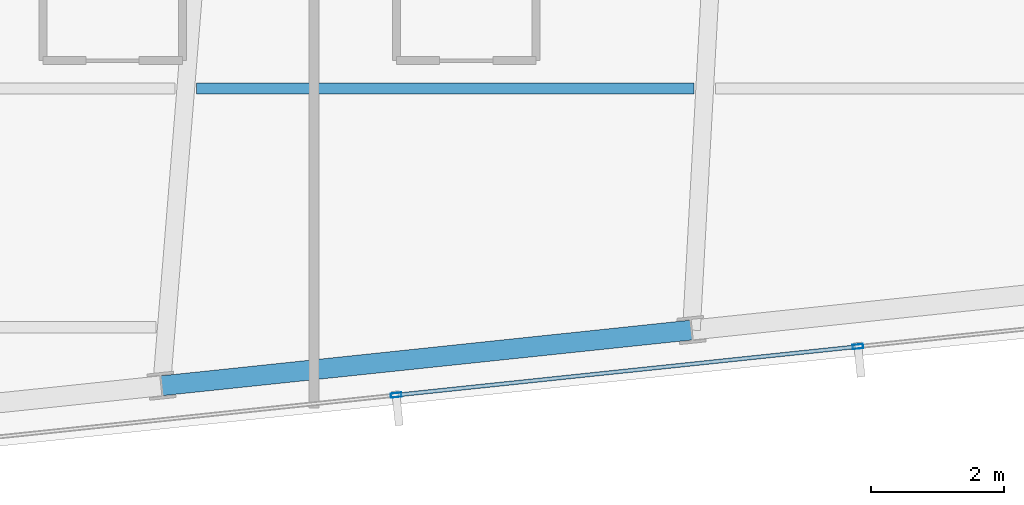
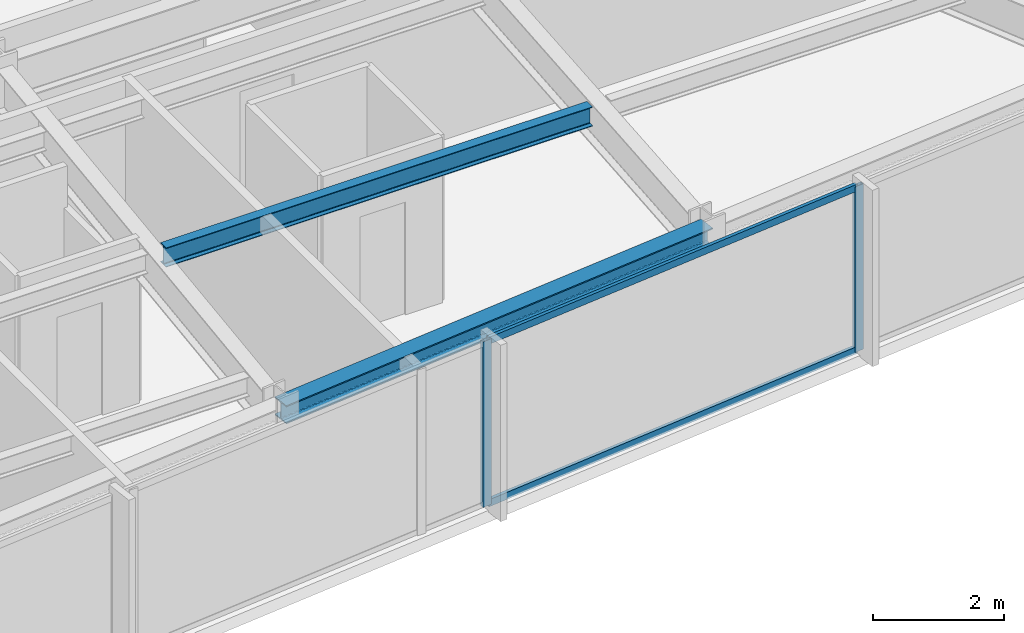
# One storey, part 14 of 33: 4 members, 2 beams, 1 element without a shape of its own.
"""IFC4 building model written with IfcOpenShell, lengths in metres."""

from ifc_helpers import new_model, si_unit, direction, frame, origin, origin_2d, place, context, subcontext, project, spatial, hollow_rectangle, i_section, extrude, material, material_profile, profile_set, type_object, element, aggregate, save


model = new_model("IFC4")

# Units and contexts
model_context = context("Model", 3, precision=1e-05, world=origin(), true_north=direction((0.0, 1.0)))
body_context = subcontext(model_context, "Body", "Model", "MODEL_VIEW")
ifc_project = project(units=[si_unit("LENGTHUNIT", "METRE"), si_unit("AREAUNIT", "SQUARE_METRE"), si_unit("VOLUMEUNIT", "CUBIC_METRE"), si_unit("PLANEANGLEUNIT", "RADIAN"), si_unit("MASSUNIT", "GRAM", prefix="KILO")], contexts=[model_context])

# Site, building, storey
site_placement = place(None, origin())
site = spatial("IfcSite", under=ifc_project, at=site_placement, CompositionType="ELEMENT")
building_placement = place(site_placement, origin())
building = spatial("IfcBuilding", under=site, at=building_placement, Name="Yelkora Congress Tower", CompositionType="ELEMENT")
storey_placement = place(building_placement, frame((0.0, 0.0, 221.0)))
storey = spatial("IfcBuildingStorey", under=building, at=storey_placement, Name="L61", CompositionType="ELEMENT", Elevation=221.0)

# Beams
ifc_material_1 = material(Name="Steel S355J2", Category="steel")
ifc_material_profile_1 = material_profile(ifc_material_1, i_section(OverallWidth=0.169921875, OverallDepth=0.360107421875, WebThickness=0.008056640625, FlangeThickness=0.0126953125, FilletRadius=0.01806640625, at=origin_2d()), Name="IPE 360")
ifc_profile_set_1 = profile_set([ifc_material_profile_1], Name="Steel S355J2")
beam_type_1 = type_object("IfcBeamType", Name="BM-JOIST-IPE360", PredefinedType="JOIST", material=ifc_profile_set_1)
beam_1_placement = place(storey_placement, frame((45.791259765625, 19.678466796875, 2.89990234375), z_axis=(1.0, 0.0, 0.0), x_axis=(0.0, 1.0, 0.0)))
element("IfcBeam", 1, at=beam_1_placement, inside=storey, type_object=beam_type_1, Name="L61 Composite Floor Joist 6", PredefinedType="JOIST", context=body_context, shape_type="SweptSolid", body=[
    extrude(i_section(OverallWidth=0.169921875, OverallDepth=0.360107421875, WebThickness=0.008056640625, FlangeThickness=0.0126953125, FilletRadius=0.01806640625, at=origin_2d()), origin(), (0.0, 0.0, 1.0), 7.505126953125),
])
ifc_material_profile_2 = material_profile(ifc_material_1, i_section(OverallWidth=0.300048828125, OverallDepth=0.340087890625, WebThickness=0.011962890625, FlangeThickness=0.021484375, FilletRadius=0.027099609375, at=origin_2d()), Name="HEB 340")
ifc_profile_set_2 = profile_set([ifc_material_profile_2], Name="Steel S355J2")
beam_type_2 = type_object("IfcBeamType", Name="BM-SPAN-HEB340", PredefinedType="SPANDREL", material=ifc_profile_set_2)
beam_2_placement = place(storey_placement, frame((45.26708984375, 15.197509765625, 2.909912109375), z_axis=(0.994520097542, 0.104545567032, 0.0), x_axis=(-0.104545567032, 0.994520097542, 0.0)))
element("IfcBeam", 2, at=beam_2_placement, inside=storey, type_object=beam_type_2, Name="L61 Perimeter Beam 6", PredefinedType="SPANDREL", context=body_context, shape_type="SweptSolid", body=[
    extrude(i_section(OverallWidth=0.300048828125, OverallDepth=0.340087890625, WebThickness=0.011962890625, FlangeThickness=0.021484375, FilletRadius=0.027099609375, at=origin_2d()), origin(), (0.0, 0.0, 1.0), 8.033203125),
])

# Curtain wall, members
ifc_material_2 = material(Name="Anodised aluminium and insulated glass", Category="aluminium")
curtain_wall_type = type_object("IfcCurtainWallType", Name="CW-SYS-B4", PredefinedType="NOTDEFINED", material=ifc_material_2)
curtain_wall_placement = place(storey_placement, origin())
curtain_wall = element("IfcCurtainWall", 3, at=curtain_wall_placement, inside=storey, type_object=curtain_wall_type, Name="L61 Unitised Curtain Wall 20", PredefinedType="NOTDEFINED")
ifc_material_3 = material(Name="Anodised aluminium 6063-T6", Category="aluminium")
ifc_material_profile_3 = material_profile(ifc_material_3, hollow_rectangle(XDim=0.06494140625, YDim=0.159912109375, WallThickness=0.00390625, at=origin_2d()), Name="ALU 65x160x4")
ifc_profile_set_3 = profile_set([ifc_material_profile_3], Name="Anodised aluminium 6063-T6")
member_type_1 = type_object("IfcMemberType", Name="MEM-ML-B4", PredefinedType="MULLION", material=ifc_profile_set_3)
member_1_placement = place(storey_placement, frame((55.76708984375, 15.788330078125, 0.0), z_axis=(0.0, 0.0, 1.0), x_axis=(0.104526664994, -0.994522084373, 0.0)))
member_1 = element("IfcMember", 4, at=member_1_placement, type_object=member_type_1, Name="CW-B4 mullion 3", PredefinedType="MULLION", context=body_context, shape_type="SweptSolid", body=[
    extrude(hollow_rectangle(XDim=0.06494140625, YDim=0.159912109375, WallThickness=0.00390625, at=origin_2d()), origin(), (0.0, 0.0, 1.0), 3.080078125),
])
member_2_placement = place(storey_placement, frame((48.802490234375, 15.056396484375, 0.0), z_axis=(0.0, 0.0, 1.0), x_axis=(0.104526664994, -0.994522084373, 0.0)))
member_2 = element("IfcMember", 5, at=member_2_placement, type_object=member_type_1, Name="CW-B4 mullion 4", PredefinedType="MULLION", context=body_context, shape_type="SweptSolid", body=[
    extrude(hollow_rectangle(XDim=0.06494140625, YDim=0.159912109375, WallThickness=0.00390625, at=origin_2d()), origin(), (0.0, 0.0, 1.0), 3.080078125),
])
ifc_material_profile_4 = material_profile(ifc_material_3, hollow_rectangle(XDim=0.06005859375, YDim=0.1298828125, WallThickness=0.00390625, at=origin_2d()), Name="ALU 60x130x4")
ifc_profile_set_4 = profile_set([ifc_material_profile_4], Name="Anodised aluminium 6063-T6")
member_type_2 = type_object("IfcMemberType", Name="MEM-TR-B4", PredefinedType="USERDEFINED", material=ifc_profile_set_4)
member_3_placement = place(storey_placement, frame((55.73486328125, 15.784912109375, 0.030029296875), z_axis=(-0.99452356298, -0.104512595784, 0.0), x_axis=(0.104512595784, -0.99452356298, 0.0)))
member_3 = element("IfcMember", 6, at=member_3_placement, type_object=member_type_2, Name="CW-B4 transom 3.1", ObjectType="TRANSOM", PredefinedType="USERDEFINED", context=body_context, shape_type="SweptSolid", body=[
    extrude(hollow_rectangle(XDim=0.06005859375, YDim=0.1298828125, WallThickness=0.00390625, at=origin_2d()), origin(), (0.0, 0.0, 1.0), 6.93798828125),
])
member_4_placement = place(storey_placement, frame((55.73486328125, 15.784912109375, 3.050048828125), z_axis=(-0.99452356298, -0.104512595784, 0.0), x_axis=(0.104512595784, -0.99452356298, 0.0)))
member_4 = element("IfcMember", 7, at=member_4_placement, type_object=member_type_2, Name="CW-B4 transom 3.2", ObjectType="TRANSOM", PredefinedType="USERDEFINED", context=body_context, shape_type="SweptSolid", body=[
    extrude(hollow_rectangle(XDim=0.06005859375, YDim=0.1298828125, WallThickness=0.00390625, at=origin_2d()), origin(), (0.0, 0.0, 1.0), 6.93798828125),
])
aggregate(curtain_wall, [member_1, member_2, member_3, member_4])

save(model, "model.ifc")
